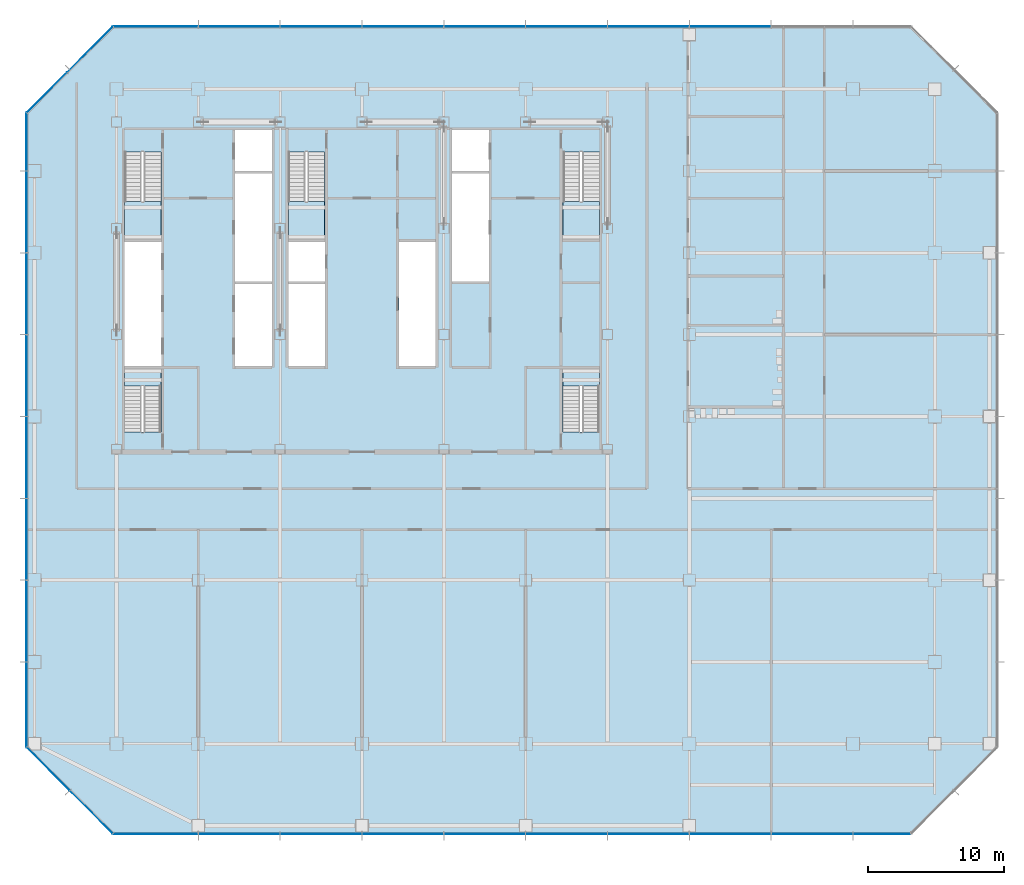
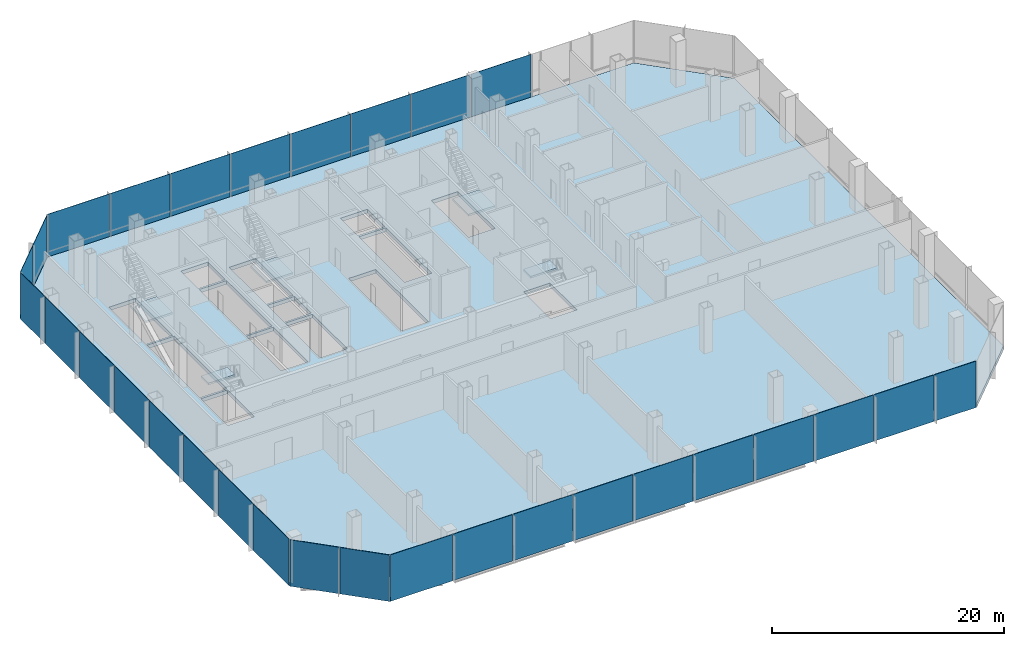
# One storey, part 20 of 34: 30 plates, 6 slabs, 10 elements without a shape of their own.
"""IFC4 building model written with IfcOpenShell, lengths in metres."""

from ifc_helpers import new_model, si_unit, direction, frame, origin, origin_2d, place, context, subcontext, project, spatial, polyline, rectangle, outline, extrude, material, layer, layer_set, type_object, element, aggregate, save


model = new_model("IFC4")

# Units and contexts
model_context = context("Model", 3, precision=1e-05, world=origin(), true_north=direction((0.0, 1.0)))
body_context = subcontext(model_context, "Body", "Model", "MODEL_VIEW")
ifc_project = project(units=[si_unit("LENGTHUNIT", "METRE"), si_unit("AREAUNIT", "SQUARE_METRE"), si_unit("VOLUMEUNIT", "CUBIC_METRE"), si_unit("PLANEANGLEUNIT", "RADIAN"), si_unit("MASSUNIT", "GRAM", prefix="KILO")], contexts=[model_context])

# Site, building, storey
site_placement = place(None, origin())
site = spatial("IfcSite", under=ifc_project, at=site_placement, CompositionType="ELEMENT")
building_placement = place(site_placement, origin())
building = spatial("IfcBuilding", under=site, at=building_placement, Name="Sorahane Residences", CompositionType="ELEMENT")
storey_placement = place(building_placement, frame((0.0, 0.0, 39.60009765625)))
storey = spatial("IfcBuildingStorey", under=building, at=storey_placement, Name="L06", CompositionType="ELEMENT", Elevation=39.60009765625)

# Slab
ifc_material_1 = material(Name="Concrete C35", Category="concrete")
ifc_layer_1 = layer(ifc_material_1, 0.39990234375)
ifc_layer_set_1 = layer_set([ifc_layer_1], Name="Composite floor slab 400 mm Concrete C35")
slab_type_1 = type_object("IfcSlabType", Name="Composite floor slab 400 mm Concrete C35", PredefinedType="FLOOR", material=ifc_layer_set_1)
slab_1_placement = place(storey_placement, frame((0.0, 0.0, -0.400146484375)))
element("IfcSlab", 1, at=slab_1_placement, inside=storey, type_object=slab_type_1, Name="Slab L06", PredefinedType="FLOOR", context=body_context, shape_type="SweptSolid", body=[
    extrude(outline(polyline([(5.75146484375, -6.60009765625), (-0.60009765625, -0.24853515625), (-0.60009765625, 46.24853515625), (5.75146484375, 52.60009765625), (64.24853515625, 52.60009765625), (70.60009765625, 46.24853515625), (70.60009765625, -0.24853515625), (64.24853515625, -6.60009765625), (5.75146484375, -6.60009765625)]), holes=[polyline([(18.60009765625, 27.699951171875), (21.300048828125, 27.699951171875), (21.300048828125, 33.699951171875), (18.60009765625, 33.699951171875), (18.60009765625, 27.699951171875)]), polyline([(30.60009765625, 42.0), (33.300048828125, 42.0), (33.300048828125, 45.0), (30.60009765625, 45.0), (30.60009765625, 42.0)]), polyline([(14.699951171875, 27.699951171875), (17.39990234375, 27.699951171875), (17.39990234375, 33.699951171875), (14.699951171875, 33.699951171875), (14.699951171875, 27.699951171875)]), polyline([(14.699951171875, 42.0), (17.39990234375, 42.0), (17.39990234375, 45.0), (14.699951171875, 45.0), (14.699951171875, 42.0)]), polyline([(6.60009765625, 27.699951171875), (9.300048828125, 27.699951171875), (9.300048828125, 36.800048828125), (6.60009765625, 36.800048828125), (6.60009765625, 27.699951171875)]), polyline([(6.60009765625, 43.39990234375), (6.60009765625, 37.0), (9.25, 37.0), (9.25, 43.39990234375), (6.60009765625, 43.39990234375)]), polyline([(38.75, 43.39990234375), (38.75, 37.0), (41.39990234375, 37.0), (41.39990234375, 43.39990234375), (38.75, 43.39990234375)]), polyline([(18.60009765625, 43.39990234375), (18.60009765625, 37.0), (21.25, 37.0), (21.25, 43.39990234375), (18.60009765625, 43.39990234375)]), polyline([(9.25, 22.85009765625), (9.25, 27.5), (6.60009765625, 27.5), (6.60009765625, 22.85009765625), (9.25, 22.85009765625)]), polyline([(41.39990234375, 22.85009765625), (41.39990234375, 27.5), (38.75, 27.5), (38.75, 22.85009765625), (41.39990234375, 22.85009765625)]), polyline([(14.699951171875, 33.89990234375), (17.39990234375, 33.89990234375), (17.39990234375, 41.800048828125), (14.699951171875, 41.800048828125), (14.699951171875, 33.89990234375)]), polyline([(30.60009765625, 33.89990234375), (33.300048828125, 33.89990234375), (33.300048828125, 41.800048828125), (30.60009765625, 41.800048828125), (30.60009765625, 33.89990234375)]), polyline([(18.60009765625, 33.89990234375), (21.300048828125, 33.89990234375), (21.300048828125, 36.800048828125), (18.60009765625, 36.800048828125), (18.60009765625, 33.89990234375)]), polyline([(26.699951171875, 27.699951171875), (29.39990234375, 27.699951171875), (29.39990234375, 36.800048828125), (26.699951171875, 36.800048828125), (26.699951171875, 27.699951171875)])]), origin(), (0.0, 0.0, 1.0), 0.400146484375),
])

# Curtain wall, plates
ifc_material_2 = material(Name="Dark low-e glass and black anodised aluminium", Category="aluminium")
curtain_wall_type = type_object("IfcCurtainWallType", Name="Curtain wall CW-3 Podium unitised wall", PredefinedType="NOTDEFINED", material=ifc_material_2)
curtain_wall_1_placement = place(storey_placement, origin())
curtain_wall_1 = element("IfcCurtainWall", 2, at=curtain_wall_1_placement, inside=storey, type_object=curtain_wall_type, Name="CW-3 curtain wall L06 S1", PredefinedType="NOTDEFINED")
ifc_material_3 = material(Name="Dark low-e glass with black ceramic frit", Category="glass")
ifc_layer_2 = layer(ifc_material_3, 0.0400390625)
ifc_layer_set_2 = layer_set([ifc_layer_2], Name="Curtain wall glass panel dark low-e podium with black frit spandrel band")
plate_type = type_object("IfcPlateType", Name="Curtain wall glass panel dark low-e podium with black frit spandrel band", PredefinedType="CURTAIN_PANEL", material=ifc_layer_set_2)
plate_1_placement = place(storey_placement, frame((8.88818359375, -6.60009765625, -0.400146484375), z_axis=(0.0, 0.0, 1.0), x_axis=(1.0, 0.0, 0.0)))
plate_1 = element("IfcPlate", 3, at=plate_1_placement, type_object=plate_type, Name="CW-3 glass panel L06 S1.1", PredefinedType="CURTAIN_PANEL", context=body_context, shape_type="SweptSolid", body=[
    extrude(rectangle(XDim=6.173583984375, YDim=0.0400390625, at=origin_2d()), origin(), (0.0, 0.0, 1.0), 4.89990234375),
])
plate_2_placement = place(storey_placement, frame((15.0, -6.60009765625, -0.400146484375), z_axis=(0.0, 0.0, 1.0), x_axis=(1.0, 0.0, 0.0)))
plate_2 = element("IfcPlate", 4, at=plate_2_placement, type_object=plate_type, Name="CW-3 glass panel L06 S1.2", PredefinedType="CURTAIN_PANEL", context=body_context, shape_type="SweptSolid", body=[
    extrude(rectangle(XDim=5.949951171875, YDim=0.0400390625, at=origin_2d()), origin(), (0.0, 0.0, 1.0), 4.89990234375),
])
plate_3_placement = place(storey_placement, frame((21.0, -6.60009765625, -0.400146484375), z_axis=(0.0, 0.0, 1.0), x_axis=(1.0, 0.0, 0.0)))
plate_3 = element("IfcPlate", 5, at=plate_3_placement, type_object=plate_type, Name="CW-3 glass panel L06 S1.3", PredefinedType="CURTAIN_PANEL", context=body_context, shape_type="SweptSolid", body=[
    extrude(rectangle(XDim=5.949951171875, YDim=0.0400390625, at=origin_2d()), origin(), (0.0, 0.0, 1.0), 4.89990234375),
])
plate_4_placement = place(storey_placement, frame((27.0, -6.60009765625, -0.400146484375), z_axis=(0.0, 0.0, 1.0), x_axis=(1.0, 0.0, 0.0)))
plate_4 = element("IfcPlate", 6, at=plate_4_placement, type_object=plate_type, Name="CW-3 glass panel L06 S1.4", PredefinedType="CURTAIN_PANEL", context=body_context, shape_type="SweptSolid", body=[
    extrude(rectangle(XDim=5.949951171875, YDim=0.0400390625, at=origin_2d()), origin(), (0.0, 0.0, 1.0), 4.89990234375),
])
plate_5_placement = place(storey_placement, frame((33.0, -6.60009765625, -0.400146484375), z_axis=(0.0, 0.0, 1.0), x_axis=(1.0, 0.0, 0.0)))
plate_5 = element("IfcPlate", 7, at=plate_5_placement, type_object=plate_type, Name="CW-3 glass panel L06 S1.5", PredefinedType="CURTAIN_PANEL", context=body_context, shape_type="SweptSolid", body=[
    extrude(rectangle(XDim=5.949951171875, YDim=0.0400390625, at=origin_2d()), origin(), (0.0, 0.0, 1.0), 4.89990234375),
])
plate_6_placement = place(storey_placement, frame((39.0, -6.60009765625, -0.400146484375), z_axis=(0.0, 0.0, 1.0), x_axis=(1.0, 0.0, 0.0)))
plate_6 = element("IfcPlate", 8, at=plate_6_placement, type_object=plate_type, Name="CW-3 glass panel L06 S1.6", PredefinedType="CURTAIN_PANEL", context=body_context, shape_type="SweptSolid", body=[
    extrude(rectangle(XDim=5.949951171875, YDim=0.0400390625, at=origin_2d()), origin(), (0.0, 0.0, 1.0), 4.89990234375),
])
plate_7_placement = place(storey_placement, frame((45.0, -6.60009765625, -0.400146484375), z_axis=(0.0, 0.0, 1.0), x_axis=(1.0, 0.0, 0.0)))
plate_7 = element("IfcPlate", 9, at=plate_7_placement, type_object=plate_type, Name="CW-3 glass panel L06 S1.7", PredefinedType="CURTAIN_PANEL", context=body_context, shape_type="SweptSolid", body=[
    extrude(rectangle(XDim=5.949951171875, YDim=0.0400390625, at=origin_2d()), origin(), (0.0, 0.0, 1.0), 4.89990234375),
])
plate_8_placement = place(storey_placement, frame((51.0, -6.60009765625, -0.400146484375), z_axis=(0.0, 0.0, 1.0), x_axis=(1.0, 0.0, 0.0)))
plate_8 = element("IfcPlate", 10, at=plate_8_placement, type_object=plate_type, Name="CW-3 glass panel L06 S1.8", PredefinedType="CURTAIN_PANEL", context=body_context, shape_type="SweptSolid", body=[
    extrude(rectangle(XDim=5.949951171875, YDim=0.0400390625, at=origin_2d()), origin(), (0.0, 0.0, 1.0), 4.89990234375),
])
plate_9_placement = place(storey_placement, frame((57.0, -6.60009765625, -0.400146484375), z_axis=(0.0, 0.0, 1.0), x_axis=(1.0, 0.0, 0.0)))
plate_9 = element("IfcPlate", 11, at=plate_9_placement, type_object=plate_type, Name="CW-3 glass panel L06 S1.9", PredefinedType="CURTAIN_PANEL", context=body_context, shape_type="SweptSolid", body=[
    extrude(rectangle(XDim=5.949951171875, YDim=0.0400390625, at=origin_2d()), origin(), (0.0, 0.0, 1.0), 4.89990234375),
])
plate_10_placement = place(storey_placement, frame((62.11181640625, -6.60009765625, -0.400146484375), z_axis=(0.0, 0.0, 1.0), x_axis=(1.0, 0.0, 0.0)))
plate_10 = element("IfcPlate", 12, at=plate_10_placement, type_object=plate_type, Name="CW-3 glass panel L06 S1.10", PredefinedType="CURTAIN_PANEL", context=body_context, shape_type="SweptSolid", body=[
    extrude(rectangle(XDim=4.173583984375, YDim=0.0400390625, at=origin_2d()), origin(), (0.0, 0.0, 1.0), 4.89990234375),
])
aggregate(curtain_wall_1, [plate_1, plate_2, plate_3, plate_4, plate_5, plate_6, plate_7, plate_8, plate_9, plate_10])

curtain_wall_2_placement = place(storey_placement, origin())
curtain_wall_2 = element("IfcCurtainWall", 13, at=curtain_wall_2_placement, inside=storey, type_object=curtain_wall_type, Name="CW-3 curtain wall L06 N1", PredefinedType="NOTDEFINED")
plate_11_placement = place(storey_placement, frame((51.0, 52.60009765625, -0.400146484375), z_axis=(0.0, 0.0, 1.0), x_axis=(-1.0, 0.0, 0.0)))
plate_11 = element("IfcPlate", 14, at=plate_11_placement, type_object=plate_type, Name="CW-3 glass panel L06 N1.5", PredefinedType="CURTAIN_PANEL", context=body_context, shape_type="SweptSolid", body=[
    extrude(rectangle(XDim=5.949951171875, YDim=0.0400390625, at=origin_2d()), origin(), (0.0, 0.0, 1.0), 4.89990234375),
])
plate_12_placement = place(storey_placement, frame((45.0, 52.60009765625, -0.400146484375), z_axis=(0.0, 0.0, 1.0), x_axis=(-1.0, 0.0, 0.0)))
plate_12 = element("IfcPlate", 15, at=plate_12_placement, type_object=plate_type, Name="CW-3 glass panel L06 N1.6", PredefinedType="CURTAIN_PANEL", context=body_context, shape_type="SweptSolid", body=[
    extrude(rectangle(XDim=5.949951171875, YDim=0.0400390625, at=origin_2d()), origin(), (0.0, 0.0, 1.0), 4.89990234375),
])
plate_13_placement = place(storey_placement, frame((39.0, 52.60009765625, -0.400146484375), z_axis=(0.0, 0.0, 1.0), x_axis=(-1.0, 0.0, 0.0)))
plate_13 = element("IfcPlate", 16, at=plate_13_placement, type_object=plate_type, Name="CW-3 glass panel L06 N1.7", PredefinedType="CURTAIN_PANEL", context=body_context, shape_type="SweptSolid", body=[
    extrude(rectangle(XDim=5.949951171875, YDim=0.0400390625, at=origin_2d()), origin(), (0.0, 0.0, 1.0), 4.89990234375),
])
plate_14_placement = place(storey_placement, frame((33.0, 52.60009765625, -0.400146484375), z_axis=(0.0, 0.0, 1.0), x_axis=(-1.0, 0.0, 0.0)))
plate_14 = element("IfcPlate", 17, at=plate_14_placement, type_object=plate_type, Name="CW-3 glass panel L06 N1.8", PredefinedType="CURTAIN_PANEL", context=body_context, shape_type="SweptSolid", body=[
    extrude(rectangle(XDim=5.949951171875, YDim=0.0400390625, at=origin_2d()), origin(), (0.0, 0.0, 1.0), 4.89990234375),
])
plate_15_placement = place(storey_placement, frame((27.0, 52.60009765625, -0.400146484375), z_axis=(0.0, 0.0, 1.0), x_axis=(-1.0, 0.0, 0.0)))
plate_15 = element("IfcPlate", 18, at=plate_15_placement, type_object=plate_type, Name="CW-3 glass panel L06 N1.9", PredefinedType="CURTAIN_PANEL", context=body_context, shape_type="SweptSolid", body=[
    extrude(rectangle(XDim=5.949951171875, YDim=0.0400390625, at=origin_2d()), origin(), (0.0, 0.0, 1.0), 4.89990234375),
])
plate_16_placement = place(storey_placement, frame((21.0, 52.60009765625, -0.400146484375), z_axis=(0.0, 0.0, 1.0), x_axis=(-1.0, 0.0, 0.0)))
plate_16 = element("IfcPlate", 19, at=plate_16_placement, type_object=plate_type, Name="CW-3 glass panel L06 N1.10", PredefinedType="CURTAIN_PANEL", context=body_context, shape_type="SweptSolid", body=[
    extrude(rectangle(XDim=5.949951171875, YDim=0.0400390625, at=origin_2d()), origin(), (0.0, 0.0, 1.0), 4.89990234375),
])
plate_17_placement = place(storey_placement, frame((15.0, 52.60009765625, -0.400146484375), z_axis=(0.0, 0.0, 1.0), x_axis=(-1.0, 0.0, 0.0)))
plate_17 = element("IfcPlate", 20, at=plate_17_placement, type_object=plate_type, Name="CW-3 glass panel L06 N1.11", PredefinedType="CURTAIN_PANEL", context=body_context, shape_type="SweptSolid", body=[
    extrude(rectangle(XDim=5.949951171875, YDim=0.0400390625, at=origin_2d()), origin(), (0.0, 0.0, 1.0), 4.89990234375),
])
plate_18_placement = place(storey_placement, frame((8.88818359375, 52.60009765625, -0.400146484375), z_axis=(0.0, 0.0, 1.0), x_axis=(-1.0, 0.0, 0.0)))
plate_18 = element("IfcPlate", 21, at=plate_18_placement, type_object=plate_type, Name="CW-3 glass panel L06 N1.12", PredefinedType="CURTAIN_PANEL", context=body_context, shape_type="SweptSolid", body=[
    extrude(rectangle(XDim=6.173583984375, YDim=0.0400390625, at=origin_2d()), origin(), (0.0, 0.0, 1.0), 4.89990234375),
])
aggregate(curtain_wall_2, [plate_11, plate_12, plate_13, plate_14, plate_15, plate_16, plate_17, plate_18])

curtain_wall_3_placement = place(storey_placement, origin())
curtain_wall_3 = element("IfcCurtainWall", 22, at=curtain_wall_3_placement, inside=storey, type_object=curtain_wall_type, Name="CW-3 curtain wall L06 NW1", PredefinedType="NOTDEFINED")
plate_19_placement = place(storey_placement, frame((4.0546875, 50.9033203125, -0.400146484375), z_axis=(0.0, 0.0, 1.0), x_axis=(-0.707106781187, -0.707106781187, 0.0)))
plate_19 = element("IfcPlate", 23, at=plate_19_placement, type_object=plate_type, Name="CW-3 glass panel L06 NW1.1", PredefinedType="CURTAIN_PANEL", context=body_context, shape_type="SweptSolid", body=[
    extrude(rectangle(XDim=4.698974609375, YDim=0.0400390625, at=origin_2d()), origin(), (0.0, 0.0, 1.0), 4.89990234375),
])
plate_20_placement = place(storey_placement, frame((0.896728515625, 47.7451171875, -0.400146484375), z_axis=(0.0, 0.0, 1.0), x_axis=(-0.707106781187, -0.707106781187, 0.0)))
plate_20 = element("IfcPlate", 24, at=plate_20_placement, type_object=plate_type, Name="CW-3 glass panel L06 NW1.2", PredefinedType="CURTAIN_PANEL", context=body_context, shape_type="SweptSolid", body=[
    extrude(rectangle(XDim=4.13330078125, YDim=0.0400390625, at=origin_2d()), origin(), (0.0, 0.0, 1.0), 4.89990234375),
])
aggregate(curtain_wall_3, [plate_19, plate_20])

curtain_wall_4_placement = place(storey_placement, origin())
curtain_wall_4 = element("IfcCurtainWall", 25, at=curtain_wall_4_placement, inside=storey, type_object=curtain_wall_type, Name="CW-3 curtain wall L06 W1", PredefinedType="NOTDEFINED")
plate_21_placement = place(storey_placement, frame((-0.60009765625, 44.11181640625, -0.400146484375), z_axis=(0.0, 0.0, 1.0), x_axis=(0.0, -1.0, 0.0)))
plate_21 = element("IfcPlate", 26, at=plate_21_placement, type_object=plate_type, Name="CW-3 glass panel L06 W1.1", PredefinedType="CURTAIN_PANEL", context=body_context, shape_type="SweptSolid", body=[
    extrude(rectangle(XDim=4.173583984375, YDim=0.0400390625, at=origin_2d()), origin(), (0.0, 0.0, 1.0), 4.89990234375),
])
plate_22_placement = place(storey_placement, frame((-0.60009765625, 39.0, -0.400146484375), z_axis=(0.0, 0.0, 1.0), x_axis=(0.0, -1.0, 0.0)))
plate_22 = element("IfcPlate", 27, at=plate_22_placement, type_object=plate_type, Name="CW-3 glass panel L06 W1.2", PredefinedType="CURTAIN_PANEL", context=body_context, shape_type="SweptSolid", body=[
    extrude(rectangle(XDim=5.949951171875, YDim=0.0400390625, at=origin_2d()), origin(), (0.0, 0.0, 1.0), 4.89990234375),
])
plate_23_placement = place(storey_placement, frame((-0.60009765625, 33.0, -0.400146484375), z_axis=(0.0, 0.0, 1.0), x_axis=(0.0, -1.0, 0.0)))
plate_23 = element("IfcPlate", 28, at=plate_23_placement, type_object=plate_type, Name="CW-3 glass panel L06 W1.3", PredefinedType="CURTAIN_PANEL", context=body_context, shape_type="SweptSolid", body=[
    extrude(rectangle(XDim=5.949951171875, YDim=0.0400390625, at=origin_2d()), origin(), (0.0, 0.0, 1.0), 4.89990234375),
])
plate_24_placement = place(storey_placement, frame((-0.60009765625, 27.0, -0.400146484375), z_axis=(0.0, 0.0, 1.0), x_axis=(0.0, -1.0, 0.0)))
plate_24 = element("IfcPlate", 29, at=plate_24_placement, type_object=plate_type, Name="CW-3 glass panel L06 W1.4", PredefinedType="CURTAIN_PANEL", context=body_context, shape_type="SweptSolid", body=[
    extrude(rectangle(XDim=5.949951171875, YDim=0.0400390625, at=origin_2d()), origin(), (0.0, 0.0, 1.0), 4.89990234375),
])
plate_25_placement = place(storey_placement, frame((-0.60009765625, 21.0, -0.400146484375), z_axis=(0.0, 0.0, 1.0), x_axis=(0.0, -1.0, 0.0)))
plate_25 = element("IfcPlate", 30, at=plate_25_placement, type_object=plate_type, Name="CW-3 glass panel L06 W1.5", PredefinedType="CURTAIN_PANEL", context=body_context, shape_type="SweptSolid", body=[
    extrude(rectangle(XDim=5.949951171875, YDim=0.0400390625, at=origin_2d()), origin(), (0.0, 0.0, 1.0), 4.89990234375),
])
plate_26_placement = place(storey_placement, frame((-0.60009765625, 15.0, -0.400146484375), z_axis=(0.0, 0.0, 1.0), x_axis=(0.0, -1.0, 0.0)))
plate_26 = element("IfcPlate", 31, at=plate_26_placement, type_object=plate_type, Name="CW-3 glass panel L06 W1.6", PredefinedType="CURTAIN_PANEL", context=body_context, shape_type="SweptSolid", body=[
    extrude(rectangle(XDim=5.949951171875, YDim=0.0400390625, at=origin_2d()), origin(), (0.0, 0.0, 1.0), 4.89990234375),
])
plate_27_placement = place(storey_placement, frame((-0.60009765625, 9.0, -0.400146484375), z_axis=(0.0, 0.0, 1.0), x_axis=(0.0, -1.0, 0.0)))
plate_27 = element("IfcPlate", 32, at=plate_27_placement, type_object=plate_type, Name="CW-3 glass panel L06 W1.7", PredefinedType="CURTAIN_PANEL", context=body_context, shape_type="SweptSolid", body=[
    extrude(rectangle(XDim=5.949951171875, YDim=0.0400390625, at=origin_2d()), origin(), (0.0, 0.0, 1.0), 4.89990234375),
])
plate_28_placement = place(storey_placement, frame((-0.60009765625, 2.88818359375, -0.400146484375), z_axis=(0.0, 0.0, 1.0), x_axis=(0.0, -1.0, 0.0)))
plate_28 = element("IfcPlate", 33, at=plate_28_placement, type_object=plate_type, Name="CW-3 glass panel L06 W1.8", PredefinedType="CURTAIN_PANEL", context=body_context, shape_type="SweptSolid", body=[
    extrude(rectangle(XDim=6.173583984375, YDim=0.0400390625, at=origin_2d()), origin(), (0.0, 0.0, 1.0), 4.89990234375),
])
aggregate(curtain_wall_4, [plate_21, plate_22, plate_23, plate_24, plate_25, plate_26, plate_27, plate_28])

curtain_wall_5_placement = place(storey_placement, origin())
curtain_wall_5 = element("IfcCurtainWall", 34, at=curtain_wall_5_placement, inside=storey, type_object=curtain_wall_type, Name="CW-3 curtain wall L06 SW1", PredefinedType="NOTDEFINED")
plate_29_placement = place(storey_placement, frame((0.996826171875, -1.84521484375, -0.400146484375), z_axis=(0.0, 0.0, 1.0), x_axis=(0.707106781187, -0.707106781187, 0.0)))
plate_29 = element("IfcPlate", 35, at=plate_29_placement, type_object=plate_type, Name="CW-3 glass panel L06 SW1.1", PredefinedType="CURTAIN_PANEL", context=body_context, shape_type="SweptSolid", body=[
    extrude(rectangle(XDim=4.416259765625, YDim=0.0400390625, at=origin_2d()), origin(), (0.0, 0.0, 1.0), 4.89990234375),
])
plate_30_placement = place(storey_placement, frame((4.15478515625, -5.003173828125, -0.400146484375), z_axis=(0.0, 0.0, 1.0), x_axis=(0.707106781187, -0.707106781187, 0.0)))
plate_30 = element("IfcPlate", 36, at=plate_30_placement, type_object=plate_type, Name="CW-3 glass panel L06 SW1.2", PredefinedType="CURTAIN_PANEL", context=body_context, shape_type="SweptSolid", body=[
    extrude(rectangle(XDim=4.416259765625, YDim=0.0400390625, at=origin_2d()), origin(), (0.0, 0.0, 1.0), 4.89990234375),
])
aggregate(curtain_wall_5, [plate_29, plate_30])

# Stair, slab
ifc_material_4 = material(Name="Concrete C40", Category="concrete")
stair_type = type_object("IfcStairType", Name="Dog-leg stair 1250 Concrete C40", PredefinedType="HALF_TURN_STAIR", material=ifc_material_4)
stair_1_placement = place(storey_placement, origin())
stair_1 = element("IfcStair", 37, at=stair_1_placement, inside=storey, type_object=stair_type, Name="L06 Stair S1", PredefinedType="HALF_TURN_STAIR")
ifc_material_5 = material(Name="Concrete C40", Category="concrete")
ifc_layer_3 = layer(ifc_material_5, 0.199951171875)
ifc_layer_set_3 = layer_set([ifc_layer_3], Name="Stair landing 200 Concrete C40")
slab_type_2 = type_object("IfcSlabType", Name="Stair landing 200 Concrete C40", PredefinedType="LANDING", material=ifc_layer_set_3)
slab_2_placement = place(storey_placement, frame((0.0, 0.0, 2.199951171875)))
slab_2 = element("IfcSlab", 38, at=slab_2_placement, type_object=slab_type_2, Name="S1 landing 1", PredefinedType="LANDING", context=body_context, shape_type="SweptSolid", body=[
    extrude(outline(polyline([(6.60009765625, 39.760009765625), (6.60009765625, 37.0), (9.25, 37.0), (9.25, 39.760009765625), (6.60009765625, 39.760009765625)])), origin(), (0.0, 0.0, 1.0), 0.199951171875),
])
aggregate(stair_1, [slab_2])

stair_2_placement = place(storey_placement, origin())
stair_2 = element("IfcStair", 39, at=stair_2_placement, inside=storey, type_object=stair_type, Name="L06 Stair S2", PredefinedType="HALF_TURN_STAIR")
slab_3_placement = place(storey_placement, frame((0.0, 0.0, 2.199951171875)))
slab_3 = element("IfcSlab", 40, at=slab_3_placement, type_object=slab_type_2, Name="S2 landing 1", PredefinedType="LANDING", context=body_context, shape_type="SweptSolid", body=[
    extrude(outline(polyline([(38.75, 39.760009765625), (38.75, 37.0), (41.39990234375, 37.0), (41.39990234375, 39.760009765625), (38.75, 39.760009765625)])), origin(), (0.0, 0.0, 1.0), 0.199951171875),
])
aggregate(stair_2, [slab_3])

stair_3_placement = place(storey_placement, origin())
stair_3 = element("IfcStair", 41, at=stair_3_placement, inside=storey, type_object=stair_type, Name="L06 Stair S3", PredefinedType="HALF_TURN_STAIR")
slab_4_placement = place(storey_placement, frame((0.0, 0.0, 2.199951171875)))
slab_4 = element("IfcSlab", 42, at=slab_4_placement, type_object=slab_type_2, Name="S3 landing 1", PredefinedType="LANDING", context=body_context, shape_type="SweptSolid", body=[
    extrude(outline(polyline([(18.60009765625, 39.760009765625), (18.60009765625, 37.0), (21.25, 37.0), (21.25, 39.760009765625), (18.60009765625, 39.760009765625)])), origin(), (0.0, 0.0, 1.0), 0.199951171875),
])
aggregate(stair_3, [slab_4])

stair_4_placement = place(storey_placement, origin())
stair_4 = element("IfcStair", 43, at=stair_4_placement, inside=storey, type_object=stair_type, Name="L06 Stair S4", PredefinedType="HALF_TURN_STAIR")
slab_5_placement = place(storey_placement, frame((0.0, 0.0, 2.199951171875)))
slab_5 = element("IfcSlab", 44, at=slab_5_placement, type_object=slab_type_2, Name="S4 landing 1", PredefinedType="LANDING", context=body_context, shape_type="SweptSolid", body=[
    extrude(outline(polyline([(9.25, 26.22998046875), (9.25, 27.5), (6.60009765625, 27.5), (6.60009765625, 26.22998046875), (9.25, 26.22998046875)])), origin(), (0.0, 0.0, 1.0), 0.199951171875),
])
aggregate(stair_4, [slab_5])

stair_5_placement = place(storey_placement, origin())
stair_5 = element("IfcStair", 45, at=stair_5_placement, inside=storey, type_object=stair_type, Name="L06 Stair S5", PredefinedType="HALF_TURN_STAIR")
slab_6_placement = place(storey_placement, frame((0.0, 0.0, 2.199951171875)))
slab_6 = element("IfcSlab", 46, at=slab_6_placement, type_object=slab_type_2, Name="S5 landing 1", PredefinedType="LANDING", context=body_context, shape_type="SweptSolid", body=[
    extrude(outline(polyline([(41.39990234375, 26.22998046875), (41.39990234375, 27.5), (38.75, 27.5), (38.75, 26.22998046875), (41.39990234375, 26.22998046875)])), origin(), (0.0, 0.0, 1.0), 0.199951171875),
])
aggregate(stair_5, [slab_6])

save(model, "model.ifc")
